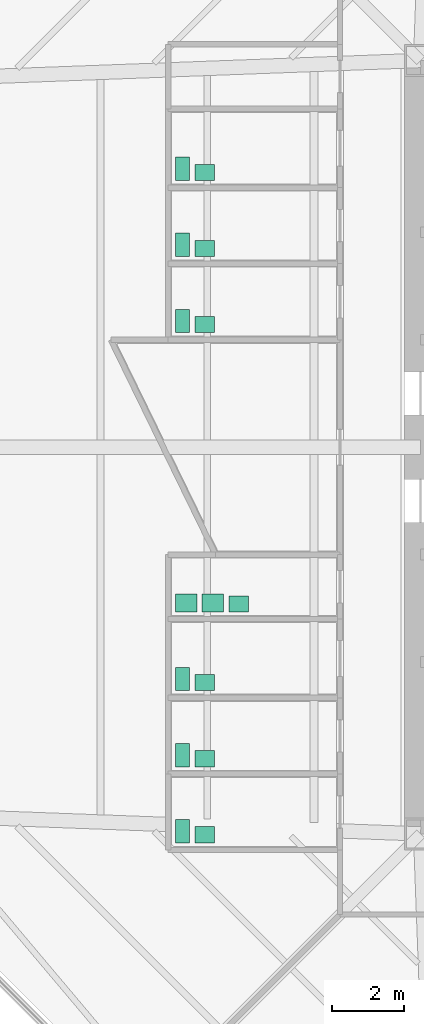
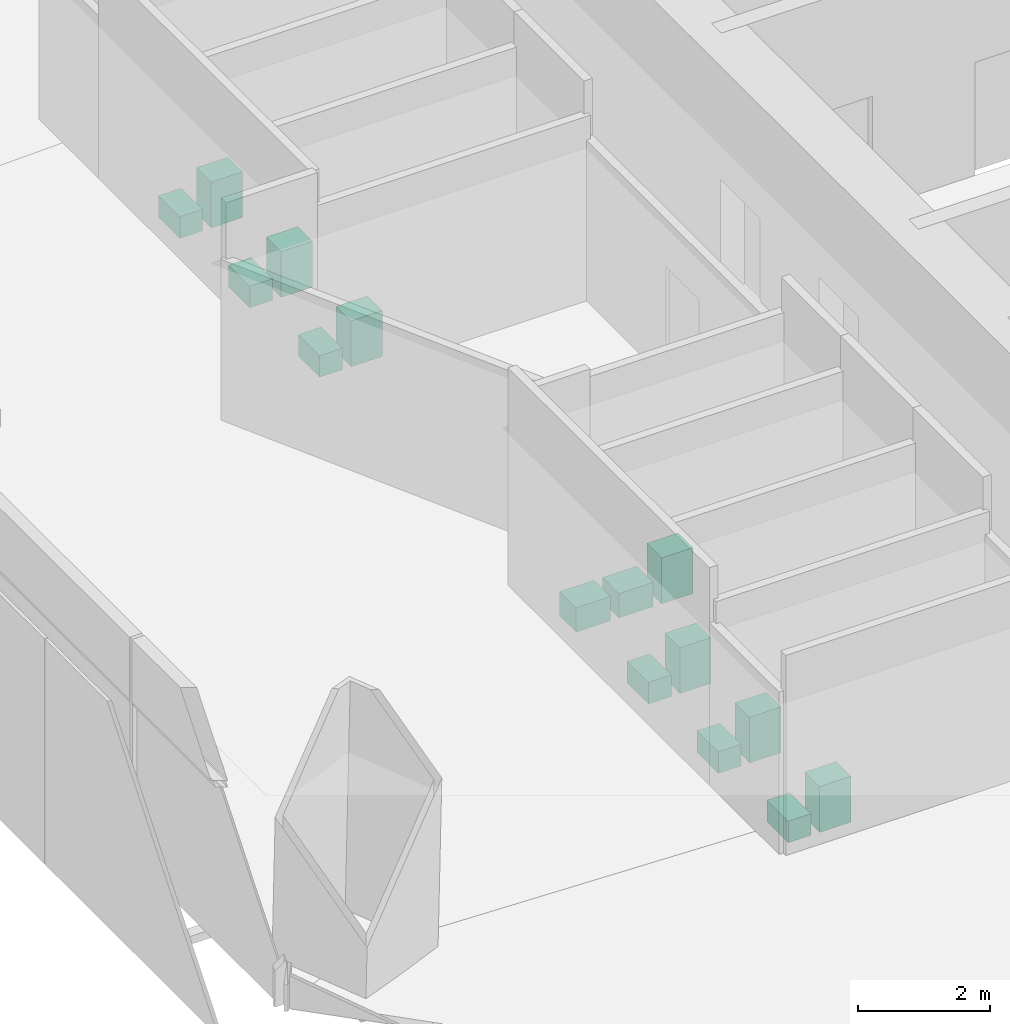
# One storey, part 14 of 14: 15 sanitary terminals.
"""IFC4 building model written with IfcOpenShell, lengths in metres."""

from ifc_helpers import new_model, si_unit, direction, frame, origin, origin_2d, place, context, subcontext, project, spatial, rectangle, extrude, material, type_object, element, save


model = new_model("IFC4")

# Units and contexts
model_context = context("Model", 3, precision=1e-05, world=origin(), true_north=direction((0.0, 1.0)))
body_context = subcontext(model_context, "Body", "Model", "MODEL_VIEW")
ifc_project = project(units=[si_unit("LENGTHUNIT", "METRE"), si_unit("AREAUNIT", "SQUARE_METRE"), si_unit("VOLUMEUNIT", "CUBIC_METRE"), si_unit("PLANEANGLEUNIT", "RADIAN"), si_unit("MASSUNIT", "GRAM", prefix="KILO")], contexts=[model_context])

# Site, building, storey
site_placement = place(None, origin())
site = spatial("IfcSite", under=ifc_project, at=site_placement, CompositionType="ELEMENT")
building_placement = place(site_placement, origin())
building = spatial("IfcBuilding", under=site, at=building_placement, Name="Mashrafa Tower", CompositionType="ELEMENT")
storey_placement = place(building_placement, frame((0.0, 0.0, 54.0)))
storey = spatial("IfcBuildingStorey", under=building, at=storey_placement, Name="L11", CompositionType="ELEMENT", Elevation=54.0)

# Sanitary terminals
ifc_material_1 = material(Name="Stainless steel", Category="steel")
sanitary_terminal_type_1 = type_object("IfcSanitaryTerminalType", Name="Ablution wash station 600 x 500", PredefinedType="WASHHANDBASIN", material=ifc_material_1)
for number, where, z_axis, x_axis, name in (
    (1, (-17.35009765625, -4.35009765625, 0.0), (0.0, 0.0, 1.0), (1.0, 0.0, 0.0), "Ablution wash station Ablution Room L11 S"),
    (2, (-16.60009765625, -4.35009765625, 0.0), (0.0, 0.0, 1.0), (1.0, 0.0, 0.0), "Ablution wash station Ablution Room L11 S"),
):
    element("IfcSanitaryTerminal", number, at=place(storey_placement, frame(where, z_axis=z_axis, x_axis=x_axis)), inside=storey, type_object=sanitary_terminal_type_1, Name=name, PredefinedType="WASHHANDBASIN", context=body_context, shape_type="SweptSolid", body=[
        extrude(rectangle(XDim=0.60009765625, YDim=0.5, at=origin_2d()), origin(), (0.0, 0.0, 1.0), 0.449951171875),
    ])
ifc_material_2 = material(Name="Vitreous china")
sanitary_terminal_type_2 = type_object("IfcSanitaryTerminalType", Name="Toilet pan 400 x 650", PredefinedType="TOILETPAN", material=ifc_material_2)
for number, where, z_axis, x_axis, name in (
    (3, (-17.449951171875, 3.52490234375, 0.0), (0.0, 0.0, 1.0), (1.0, 0.0, 0.0), "Toilet pan WC Female L11 N"),
    (4, (-17.449951171875, 5.64990234375, 0.0), (0.0, 0.0, 1.0), (1.0, 0.0, 0.0), "Toilet pan WC Male L11 N"),
    (5, (-17.449951171875, 7.77490234375, 0.0), (0.0, 0.0, 1.0), (1.0, 0.0, 0.0), "Toilet pan Accessible WC L11 N"),
    (6, (-17.449951171875, -10.72509765625, 0.0), (0.0, 0.0, 1.0), (1.0, 0.0, 0.0), "Toilet pan WC Female L11 S"),
    (7, (-17.449951171875, -8.60009765625, 0.0), (0.0, 0.0, 1.0), (1.0, 0.0, 0.0), "Toilet pan WC Male L11 S"),
    (8, (-17.449951171875, -6.47509765625, 0.0), (0.0, 0.0, 1.0), (1.0, 0.0, 0.0), "Toilet pan Accessible WC L11 S"),
):
    element("IfcSanitaryTerminal", number, at=place(storey_placement, frame(where, z_axis=z_axis, x_axis=x_axis)), inside=storey, type_object=sanitary_terminal_type_2, Name=name, PredefinedType="TOILETPAN", context=body_context, shape_type="SweptSolid", body=[
        extrude(rectangle(XDim=0.39990234375, YDim=0.64990234375, at=origin_2d()), origin(), (0.0, 0.0, 1.0), 0.39990234375),
    ])
ifc_material_3 = material(Name="Vitreous china")
sanitary_terminal_type_3 = type_object("IfcSanitaryTerminalType", Name="Wash basin 550 x 450", PredefinedType="WASHHANDBASIN", material=ifc_material_3)
for number, where, z_axis, x_axis, name in (
    (9, (-16.824951171875, 3.425048828125, 0.0), (0.0, 0.0, 1.0), (1.0, 0.0, 0.0), "Wash basin WC Female L11 N"),
    (10, (-16.824951171875, 5.550048828125, 0.0), (0.0, 0.0, 1.0), (1.0, 0.0, 0.0), "Wash basin WC Male L11 N"),
    (11, (-16.824951171875, 7.675048828125, 0.0), (0.0, 0.0, 1.0), (1.0, 0.0, 0.0), "Wash basin Accessible WC L11 N"),
    (12, (-16.824951171875, -10.824951171875, 0.0), (0.0, 0.0, 1.0), (1.0, 0.0, 0.0), "Wash basin WC Female L11 S"),
    (13, (-16.824951171875, -8.699951171875, 0.0), (0.0, 0.0, 1.0), (1.0, 0.0, 0.0), "Wash basin WC Male L11 S"),
    (14, (-16.824951171875, -6.574951171875, 0.0), (0.0, 0.0, 1.0), (1.0, 0.0, 0.0), "Wash basin Accessible WC L11 S"),
    (15, (-15.875, -4.375, 0.0), (0.0, 0.0, 1.0), (1.0, 0.0, 0.0), "Wash basin Ablution Room L11 S"),
):
    element("IfcSanitaryTerminal", number, at=place(storey_placement, frame(where, z_axis=z_axis, x_axis=x_axis)), inside=storey, type_object=sanitary_terminal_type_3, Name=name, PredefinedType="WASHHANDBASIN", context=body_context, shape_type="SweptSolid", body=[
        extrude(rectangle(XDim=0.550048828125, YDim=0.449951171875, at=origin_2d()), origin(), (0.0, 0.0, 1.0), 0.85009765625),
    ])

save(model, "model.ifc")
